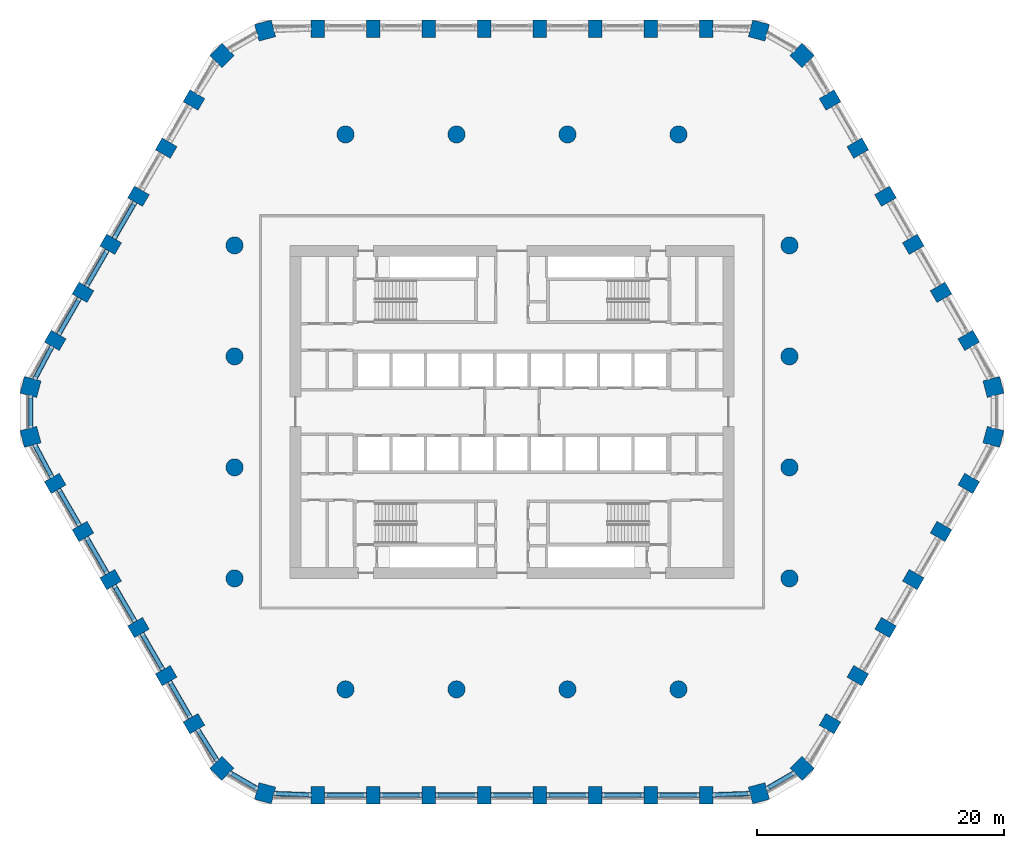
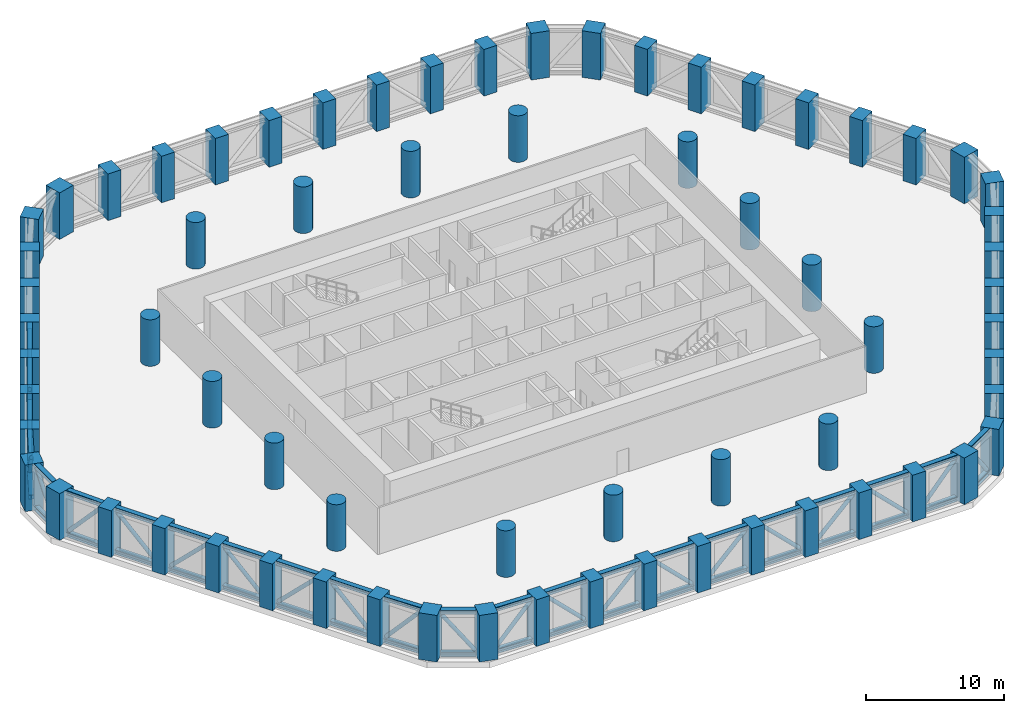
# One storey, part 1 of 18: 68 columns, 46 beams, 23 members.
"""IFC4 building model written with IfcOpenShell, lengths in metres."""

from ifc_helpers import new_model, si_unit, direction, frame, origin, origin_2d, place, context, subcontext, project, spatial, rectangle, circle, hollow_circle, i_section, extrude, material, material_profile, profile_set, type_object, element, save


model = new_model("IFC4")

# Units and contexts
model_context = context("Model", 3, precision=1e-05, world=origin(), true_north=direction((0.0, 1.0)))
body_context = subcontext(model_context, "Body", "Model", "MODEL_VIEW")
ifc_project = project(units=[si_unit("LENGTHUNIT", "METRE"), si_unit("AREAUNIT", "SQUARE_METRE"), si_unit("VOLUMEUNIT", "CUBIC_METRE"), si_unit("PLANEANGLEUNIT", "RADIAN"), si_unit("MASSUNIT", "GRAM", prefix="KILO")], contexts=[model_context])

# Site, building, storey
site_placement = place(None, origin())
site = spatial("IfcSite", under=ifc_project, at=site_placement, CompositionType="ELEMENT")
building_placement = place(site_placement, origin())
building = spatial("IfcBuilding", under=site, at=building_placement, Name="Dhurran Vertical Campus", CompositionType="ELEMENT")
storey_placement = place(building_placement, frame((0.0, 0.0, 76.800048828125)))
storey = spatial("IfcBuildingStorey", under=building, at=storey_placement, Name="L18 Plant", CompositionType="ELEMENT", Elevation=76.800048828125)

# Columns
ifc_material_1 = material(Name="Concrete C70/85", Category="concrete")
ifc_material_profile_1 = material_profile(ifc_material_1, rectangle(XDim=1.10009765625, YDim=1.39990234375, at=origin_2d()), Name="RC 1100x1400")
ifc_profile_set_1 = profile_set([ifc_material_profile_1], Name="Concrete C70/85")
column_type_1 = type_object("IfcColumnType", Name="FR COL RC 1100x1400 C70/85", PredefinedType="COLUMN", material=ifc_profile_set_1)
for number, where, z_axis, x_axis, name in (
    (1, (-15.75, -31.079833984375, 0.0), (0.0, 0.0, 1.0), (1.0, 0.0, 0.0), "Perimeter pier PP1.01"),
    (2, (-11.25, -31.079833984375, 0.0), (0.0, 0.0, 1.0), (1.0, 0.0, 0.0), "Perimeter pier PP1.02"),
    (3, (-6.75, -31.079833984375, 0.0), (0.0, 0.0, 1.0), (1.0, 0.0, 0.0), "Perimeter pier PP1.03"),
    (4, (-2.25, -31.079833984375, 0.0), (0.0, 0.0, 1.0), (1.0, 0.0, 0.0), "Perimeter pier PP1.04"),
    (5, (2.25, -31.079833984375, 0.0), (0.0, 0.0, 1.0), (1.0, 0.0, 0.0), "Perimeter pier PP1.05"),
    (6, (6.75, -31.079833984375, 0.0), (0.0, 0.0, 1.0), (1.0, 0.0, 0.0), "Perimeter pier PP1.06"),
    (7, (11.25, -31.079833984375, 0.0), (0.0, 0.0, 1.0), (1.0, 0.0, 0.0), "Perimeter pier PP1.07"),
    (8, (15.75, -31.079833984375, 0.0), (0.0, 0.0, 1.0), (1.0, 0.0, 0.0), "Perimeter pier PP1.08"),
    (9, (25.791015625, -25.28271484375, 0.0), (0.0, 0.0, 1.0), (0.5, 0.866025403784, 0.0), "Perimeter pier PP1.11"),
    (10, (28.041015625, -21.385498046875, 0.0), (0.0, 0.0, 1.0), (0.5, 0.866025403784, 0.0), "Perimeter pier PP1.12"),
    (11, (30.291015625, -17.488525390625, 0.0), (0.0, 0.0, 1.0), (0.5, 0.866025403784, 0.0), "Perimeter pier PP1.13"),
    (12, (32.541015625, -13.59130859375, 0.0), (0.0, 0.0, 1.0), (0.5, 0.866025403784, 0.0), "Perimeter pier PP1.14"),
    (13, (34.791015625, -9.694091796875, 0.0), (0.0, 0.0, 1.0), (0.5, 0.866025403784, 0.0), "Perimeter pier PP1.15"),
    (14, (37.041015625, -5.797119140625, 0.0), (0.0, 0.0, 1.0), (0.5, 0.866025403784, 0.0), "Perimeter pier PP1.16"),
    (15, (37.041015625, 5.797119140625, 0.0), (0.0, 0.0, 1.0), (-0.5, 0.866025403784, 0.0), "Perimeter pier PP1.19"),
    (16, (34.791015625, 9.694091796875, 0.0), (0.0, 0.0, 1.0), (-0.5, 0.866025403784, 0.0), "Perimeter pier PP1.20"),
    (17, (32.541015625, 13.59130859375, 0.0), (0.0, 0.0, 1.0), (-0.5, 0.866025403784, 0.0), "Perimeter pier PP1.21"),
    (18, (30.291015625, 17.488525390625, 0.0), (0.0, 0.0, 1.0), (-0.5, 0.866025403784, 0.0), "Perimeter pier PP1.22"),
    (19, (28.041015625, 21.385498046875, 0.0), (0.0, 0.0, 1.0), (-0.5, 0.866025403784, 0.0), "Perimeter pier PP1.23"),
    (20, (25.791015625, 25.28271484375, 0.0), (0.0, 0.0, 1.0), (-0.5, 0.866025403784, 0.0), "Perimeter pier PP1.24"),
    (21, (15.75, 31.079833984375, 0.0), (0.0, 0.0, 1.0), (-1.0, 0.0, 0.0), "Perimeter pier PP1.27"),
    (22, (11.25, 31.079833984375, 0.0), (0.0, 0.0, 1.0), (-1.0, 0.0, 0.0), "Perimeter pier PP1.28"),
    (23, (6.75, 31.079833984375, 0.0), (0.0, 0.0, 1.0), (-1.0, 0.0, 0.0), "Perimeter pier PP1.29"),
    (24, (2.25, 31.079833984375, 0.0), (0.0, 0.0, 1.0), (-1.0, 0.0, 0.0), "Perimeter pier PP1.30"),
    (25, (-2.25, 31.079833984375, 0.0), (0.0, 0.0, 1.0), (-1.0, 0.0, 0.0), "Perimeter pier PP1.31"),
    (26, (-6.75, 31.079833984375, 0.0), (0.0, 0.0, 1.0), (-1.0, 0.0, 0.0), "Perimeter pier PP1.32"),
    (27, (-11.25, 31.079833984375, 0.0), (0.0, 0.0, 1.0), (-1.0, 0.0, 0.0), "Perimeter pier PP1.33"),
    (28, (-15.75, 31.079833984375, 0.0), (0.0, 0.0, 1.0), (-1.0, 0.0, 0.0), "Perimeter pier PP1.34"),
    (29, (-25.791015625, 25.28271484375, 0.0), (0.0, 0.0, 1.0), (-0.5, -0.866025403784, 0.0), "Perimeter pier PP1.37"),
    (30, (-28.041015625, 21.385498046875, 0.0), (0.0, 0.0, 1.0), (-0.5, -0.866025403784, 0.0), "Perimeter pier PP1.38"),
    (31, (-30.291015625, 17.488525390625, 0.0), (0.0, 0.0, 1.0), (-0.5, -0.866025403784, 0.0), "Perimeter pier PP1.39"),
    (32, (-32.541015625, 13.59130859375, 0.0), (0.0, 0.0, 1.0), (-0.5, -0.866025403784, 0.0), "Perimeter pier PP1.40"),
    (33, (-34.791015625, 9.694091796875, 0.0), (0.0, 0.0, 1.0), (-0.5, -0.866025403784, 0.0), "Perimeter pier PP1.41"),
    (34, (-37.041015625, 5.797119140625, 0.0), (0.0, 0.0, 1.0), (-0.5, -0.866025403784, 0.0), "Perimeter pier PP1.42"),
    (35, (-37.041015625, -5.797119140625, 0.0), (0.0, 0.0, 1.0), (0.5, -0.866025403784, 0.0), "Perimeter pier PP1.45"),
    (36, (-34.791015625, -9.694091796875, 0.0), (0.0, 0.0, 1.0), (0.5, -0.866025403784, 0.0), "Perimeter pier PP1.46"),
    (37, (-32.541015625, -13.59130859375, 0.0), (0.0, 0.0, 1.0), (0.5, -0.866025403784, 0.0), "Perimeter pier PP1.47"),
    (38, (-30.291015625, -17.488525390625, 0.0), (0.0, 0.0, 1.0), (0.5, -0.866025403784, 0.0), "Perimeter pier PP1.48"),
    (39, (-28.041015625, -21.385498046875, 0.0), (0.0, 0.0, 1.0), (0.5, -0.866025403784, 0.0), "Perimeter pier PP1.49"),
    (40, (-25.791015625, -25.28271484375, 0.0), (0.0, 0.0, 1.0), (0.5, -0.866025403784, 0.0), "Perimeter pier PP1.50"),
):
    element("IfcColumn", number, at=place(storey_placement, frame(where, z_axis=z_axis, x_axis=x_axis)), inside=storey, type_object=column_type_1, Name=name, PredefinedType="COLUMN", context=body_context, shape_type="SweptSolid", body=[
        extrude(rectangle(XDim=1.10009765625, YDim=1.39990234375, at=origin_2d()), origin(), (0.0, 0.0, 1.0), 4.125),
    ])
ifc_material_2 = material(Name="Concrete C70/85", Category="concrete")
ifc_material_profile_2 = material_profile(ifc_material_2, rectangle(XDim=1.39990234375, YDim=1.39990234375, at=origin_2d()), Name="RC 1400x1400")
ifc_profile_set_2 = profile_set([ifc_material_profile_2], Name="Concrete C70/85")
column_type_2 = type_object("IfcColumnType", Name="FR COL RC 1400x1400 C70/85", PredefinedType="COLUMN", material=ifc_profile_set_2)
for number, where, z_axis, x_axis, name in (
    (41, (-20.020263671875, -30.922607421875, 0.0), (0.0, 0.0, 1.0), (0.965925826289, -0.258819045103, 0.0), "Perimeter pier PP1.00"),
    (42, (20.020263671875, -30.922607421875, 0.0), (0.0, 0.0, 1.0), (0.965925826289, 0.258819045103, 0.0), "Perimeter pier PP1.09"),
    (43, (23.51953125, -28.902099609375, 0.0), (0.0, 0.0, 1.0), (0.707106781187, 0.707106781187, 0.0), "Perimeter pier PP1.10"),
    (44, (39.039794921875, -2.020263671875, 0.0), (0.0, 0.0, 1.0), (0.258819045103, 0.965925826289, 0.0), "Perimeter pier PP1.17"),
    (45, (39.039794921875, 2.020263671875, 0.0), (0.0, 0.0, 1.0), (-0.258819045103, 0.965925826289, 0.0), "Perimeter pier PP1.18"),
    (46, (23.51953125, 28.902099609375, 0.0), (0.0, 0.0, 1.0), (-0.707106781187, 0.707106781187, 0.0), "Perimeter pier PP1.25"),
    (47, (20.020263671875, 30.922607421875, 0.0), (0.0, 0.0, 1.0), (-0.965925826289, 0.258819045103, 0.0), "Perimeter pier PP1.26"),
    (48, (-20.020263671875, 30.922607421875, 0.0), (0.0, 0.0, 1.0), (-0.965925826289, -0.258819045103, 0.0), "Perimeter pier PP1.35"),
    (49, (-23.51953125, 28.902099609375, 0.0), (0.0, 0.0, 1.0), (-0.707106781187, -0.707106781187, 0.0), "Perimeter pier PP1.36"),
    (50, (-39.039794921875, 2.020263671875, 0.0), (0.0, 0.0, 1.0), (-0.258819045103, -0.965925826289, 0.0), "Perimeter pier PP1.43"),
    (51, (-39.039794921875, -2.020263671875, 0.0), (0.0, 0.0, 1.0), (0.258819045103, -0.965925826289, 0.0), "Perimeter pier PP1.44"),
    (52, (-23.51953125, -28.902099609375, 0.0), (0.0, 0.0, 1.0), (0.707106781187, -0.707106781187, 0.0), "Perimeter pier PP1.51"),
):
    element("IfcColumn", number, at=place(storey_placement, frame(where, z_axis=z_axis, x_axis=x_axis)), inside=storey, type_object=column_type_2, Name=name, PredefinedType="COLUMN", context=body_context, shape_type="SweptSolid", body=[
        extrude(rectangle(XDim=1.39990234375, YDim=1.39990234375, at=origin_2d()), origin(), (0.0, 0.0, 1.0), 4.125),
    ])
ifc_material_3 = material(Name="Concrete C70/85", Category="concrete")
ifc_material_profile_3 = material_profile(ifc_material_3, circle(Radius=0.699951171875, at=origin_2d()), Name="RCC D1400")
ifc_profile_set_3 = profile_set([ifc_material_profile_3], Name="Concrete C70/85")
column_type_3 = type_object("IfcColumnType", Name="FR COL RCC D1400 C70/85", PredefinedType="COLUMN", material=ifc_profile_set_3)
for number, where, z_axis, x_axis, name in (
    (53, (-22.5, -13.5, 0.0), (0.0, 0.0, 1.0), (1.0, 0.0, 0.0), "Inner column IC1-D4"),
    (54, (-22.5, -4.5, 0.0), (0.0, 0.0, 1.0), (1.0, 0.0, 0.0), "Inner column IC1-D5"),
    (55, (-22.5, 4.5, 0.0), (0.0, 0.0, 1.0), (1.0, 0.0, 0.0), "Inner column IC1-D6"),
    (56, (-22.5, 13.5, 0.0), (0.0, 0.0, 1.0), (1.0, 0.0, 0.0), "Inner column IC1-D7"),
    (57, (-13.5, -22.5, 0.0), (0.0, 0.0, 1.0), (1.0, 0.0, 0.0), "Inner column IC1-E3"),
    (58, (-13.5, 22.5, 0.0), (0.0, 0.0, 1.0), (1.0, 0.0, 0.0), "Inner column IC1-E8"),
    (59, (-4.5, -22.5, 0.0), (0.0, 0.0, 1.0), (1.0, 0.0, 0.0), "Inner column IC1-F3"),
    (60, (-4.5, 22.5, 0.0), (0.0, 0.0, 1.0), (1.0, 0.0, 0.0), "Inner column IC1-F8"),
    (61, (4.5, -22.5, 0.0), (0.0, 0.0, 1.0), (1.0, 0.0, 0.0), "Inner column IC1-G3"),
    (62, (4.5, 22.5, 0.0), (0.0, 0.0, 1.0), (1.0, 0.0, 0.0), "Inner column IC1-G8"),
    (63, (13.5, -22.5, 0.0), (0.0, 0.0, 1.0), (1.0, 0.0, 0.0), "Inner column IC1-H3"),
    (64, (13.5, 22.5, 0.0), (0.0, 0.0, 1.0), (1.0, 0.0, 0.0), "Inner column IC1-H8"),
    (65, (22.5, -13.5, 0.0), (0.0, 0.0, 1.0), (1.0, 0.0, 0.0), "Inner column IC1-J4"),
    (66, (22.5, -4.5, 0.0), (0.0, 0.0, 1.0), (1.0, 0.0, 0.0), "Inner column IC1-J5"),
    (67, (22.5, 4.5, 0.0), (0.0, 0.0, 1.0), (1.0, 0.0, 0.0), "Inner column IC1-J6"),
    (68, (22.5, 13.5, 0.0), (0.0, 0.0, 1.0), (1.0, 0.0, 0.0), "Inner column IC1-J7"),
):
    element("IfcColumn", number, at=place(storey_placement, frame(where, z_axis=z_axis, x_axis=x_axis)), inside=storey, type_object=column_type_3, Name=name, PredefinedType="COLUMN", context=body_context, shape_type="SweptSolid", body=[
        extrude(circle(Radius=0.699951171875, at=origin_2d()), origin(), (0.0, 0.0, 1.0), 4.125),
    ])

# Beams
ifc_material_4 = material(Name="Steel ASTM A992", Category="steel")
ifc_material_profile_4 = material_profile(ifc_material_4, i_section(OverallWidth=0.39794921875, OverallDepth=0.386962890625, WebThickness=0.02099609375, FlangeThickness=0.033203125, at=origin_2d()), Name="W360x262")
ifc_profile_set_4 = profile_set([ifc_material_profile_4], Name="Steel ASTM A992")
beam_type = type_object("IfcBeamType", Name="FR BELT CHORD W360x262", PredefinedType="BEAM", material=ifc_profile_set_4)
for number, where, z_axis, x_axis, name in (
    (69, (-19.302734375, -30.948974609375, 0.193359375), (0.999322381582, -0.036807304566, 0.0), (0.036807304566, 0.999322381582, 0.0), "Belt truss chord L18"),
    (70, (-19.302734375, -30.948974609375, 3.931396484375), (0.999322381582, -0.036807304566, 0.0), (0.036807304566, 0.999322381582, 0.0), "Belt truss chord L18"),
):
    element("IfcBeam", number, at=place(storey_placement, frame(where, z_axis=z_axis, x_axis=x_axis)), inside=storey, type_object=beam_type, Name=name, PredefinedType="BEAM", context=body_context, shape_type="SweptSolid", body=[
        extrude(i_section(OverallWidth=0.39794921875, OverallDepth=0.386962890625, WebThickness=0.02099609375, FlangeThickness=0.033203125, at=origin_2d()), origin(), (0.0, 0.0, 1.0), 3.004638671875),
    ])
for number, where, z_axis, x_axis, name in (
    (71, (-15.199951171875, -31.079833984375, 0.193359375), (1.0, 0.0, 0.0), (0.0, 1.0, 0.0), "Belt truss chord L18"),
    (72, (-15.199951171875, -31.079833984375, 3.931396484375), (1.0, 0.0, 0.0), (0.0, 1.0, 0.0), "Belt truss chord L18"),
    (73, (-10.699951171875, -31.079833984375, 0.193359375), (1.0, 0.0, 0.0), (0.0, 1.0, 0.0), "Belt truss chord L18"),
    (74, (-10.699951171875, -31.079833984375, 3.931396484375), (1.0, 0.0, 0.0), (0.0, 1.0, 0.0), "Belt truss chord L18"),
    (75, (-6.199951171875, -31.079833984375, 0.193359375), (1.0, 0.0, 0.0), (0.0, 1.0, 0.0), "Belt truss chord L18"),
    (76, (-6.199951171875, -31.079833984375, 3.931396484375), (1.0, 0.0, 0.0), (0.0, 1.0, 0.0), "Belt truss chord L18"),
    (77, (-1.699951171875, -31.079833984375, 0.193359375), (1.0, 0.0, 0.0), (0.0, 1.0, 0.0), "Belt truss chord L18"),
    (78, (-1.699951171875, -31.079833984375, 3.931396484375), (1.0, 0.0, 0.0), (0.0, 1.0, 0.0), "Belt truss chord L18"),
    (79, (2.800048828125, -31.079833984375, 0.193359375), (1.0, 0.0, 0.0), (0.0, 1.0, 0.0), "Belt truss chord L18"),
    (80, (2.800048828125, -31.079833984375, 3.931396484375), (1.0, 0.0, 0.0), (0.0, 1.0, 0.0), "Belt truss chord L18"),
    (81, (7.300048828125, -31.079833984375, 0.193359375), (1.0, 0.0, 0.0), (0.0, 1.0, 0.0), "Belt truss chord L18"),
    (82, (7.300048828125, -31.079833984375, 3.931396484375), (1.0, 0.0, 0.0), (0.0, 1.0, 0.0), "Belt truss chord L18"),
    (83, (11.800048828125, -31.079833984375, 0.193359375), (1.0, 0.0, 0.0), (0.0, 1.0, 0.0), "Belt truss chord L18"),
    (84, (11.800048828125, -31.079833984375, 3.931396484375), (1.0, 0.0, 0.0), (0.0, 1.0, 0.0), "Belt truss chord L18"),
):
    element("IfcBeam", number, at=place(storey_placement, frame(where, z_axis=z_axis, x_axis=x_axis)), inside=storey, type_object=beam_type, Name=name, PredefinedType="BEAM", context=body_context, shape_type="SweptSolid", body=[
        extrude(i_section(OverallWidth=0.39794921875, OverallDepth=0.386962890625, WebThickness=0.02099609375, FlangeThickness=0.033203125, at=origin_2d()), origin(), (0.0, 0.0, 1.0), 3.39990234375),
    ])
for number, where, z_axis, x_axis, name in (
    (85, (16.300048828125, -31.0595703125, 0.193359375), (0.999322381582, 0.036807304566, 0.0), (-0.036807304566, 0.999322381582, 0.0), "Belt truss chord L18"),
    (86, (16.300048828125, -31.0595703125, 3.931396484375), (0.999322381582, 0.036807304566, 0.0), (-0.036807304566, 0.999322381582, 0.0), "Belt truss chord L18"),
):
    element("IfcBeam", number, at=place(storey_placement, frame(where, z_axis=z_axis, x_axis=x_axis)), inside=storey, type_object=beam_type, Name=name, PredefinedType="BEAM", context=body_context, shape_type="SweptSolid", body=[
        extrude(i_section(OverallWidth=0.39794921875, OverallDepth=0.386962890625, WebThickness=0.02099609375, FlangeThickness=0.033203125, at=origin_2d()), origin(), (0.0, 0.0, 1.0), 3.004638671875),
    ])
for number, where, z_axis, x_axis, name in (
    (87, (20.64794921875, -30.56005859375, 0.193359375), (0.866042797968, 0.49996987118, 0.0), (-0.49996987118, 0.866042797968, 0.0), "Belt truss chord L18"),
    (88, (20.64794921875, -30.56005859375, 3.931396484375), (0.866042797968, 0.49996987118, 0.0), (-0.49996987118, 0.866042797968, 0.0), "Belt truss chord L18"),
):
    element("IfcBeam", number, at=place(storey_placement, frame(where, z_axis=z_axis, x_axis=x_axis)), inside=storey, type_object=beam_type, Name=name, PredefinedType="BEAM", context=body_context, shape_type="SweptSolid", body=[
        extrude(i_section(OverallWidth=0.39794921875, OverallDepth=0.386962890625, WebThickness=0.02099609375, FlangeThickness=0.033203125, at=origin_2d()), origin(), (0.0, 0.0, 1.0), 2.591064453125),
    ])
for number, where, z_axis, x_axis, name in (
    (89, (-30.56591796875, 17.01220703125, 0.193359375), (-0.499977295307, -0.866038511948, 0.0), (0.866038511948, -0.499977295307, 0.0), "Belt truss chord L18"),
    (90, (-30.56591796875, 17.01220703125, 3.931396484375), (-0.499977295307, -0.866038511948, 0.0), (0.866038511948, -0.499977295307, 0.0), "Belt truss chord L18"),
    (91, (-32.81591796875, 13.114990234375, 0.193359375), (-0.499977295307, -0.866038511948, 0.0), (0.866038511948, -0.499977295307, 0.0), "Belt truss chord L18"),
    (92, (-32.81591796875, 13.114990234375, 3.931396484375), (-0.499977295307, -0.866038511948, 0.0), (0.866038511948, -0.499977295307, 0.0), "Belt truss chord L18"),
    (93, (-35.06591796875, 9.218017578125, 0.193359375), (-0.499977295307, -0.866038511948, 0.0), (0.866038511948, -0.499977295307, 0.0), "Belt truss chord L18"),
    (94, (-35.06591796875, 9.218017578125, 3.931396484375), (-0.499977295307, -0.866038511948, 0.0), (0.866038511948, -0.499977295307, 0.0), "Belt truss chord L18"),
):
    element("IfcBeam", number, at=place(storey_placement, frame(where, z_axis=z_axis, x_axis=x_axis)), inside=storey, type_object=beam_type, Name=name, PredefinedType="BEAM", context=body_context, shape_type="SweptSolid", body=[
        extrude(i_section(OverallWidth=0.39794921875, OverallDepth=0.386962890625, WebThickness=0.02099609375, FlangeThickness=0.033203125, at=origin_2d()), origin(), (0.0, 0.0, 1.0), 3.400146484375),
    ])
for number, where, z_axis, x_axis, name in (
    (95, (-37.29833984375, 5.310791015625, 0.193359375), (-0.467764521127, -0.883853128509, 0.0), (0.883853128509, -0.467764521127, 0.0), "Belt truss chord L18"),
    (96, (-37.29833984375, 5.310791015625, 3.931396484375), (-0.467764521127, -0.883853128509, 0.0), (0.883853128509, -0.467764521127, 0.0), "Belt truss chord L18"),
):
    element("IfcBeam", number, at=place(storey_placement, frame(where, z_axis=z_axis, x_axis=x_axis)), inside=storey, type_object=beam_type, Name=name, PredefinedType="BEAM", context=body_context, shape_type="SweptSolid", body=[
        extrude(i_section(OverallWidth=0.39794921875, OverallDepth=0.386962890625, WebThickness=0.02099609375, FlangeThickness=0.033203125, at=origin_2d()), origin(), (0.0, 0.0, 1.0), 3.004638671875),
    ])
for number, where, z_axis, x_axis, name in (
    (97, (-39.039794921875, 1.295654296875, 0.193359375), (0.0, -1.0, 0.0), (1.0, 0.0, 0.0), "Belt truss chord L18"),
    (98, (-39.039794921875, 1.295654296875, 3.931396484375), (0.0, -1.0, 0.0), (1.0, 0.0, 0.0), "Belt truss chord L18"),
):
    element("IfcBeam", number, at=place(storey_placement, frame(where, z_axis=z_axis, x_axis=x_axis)), inside=storey, type_object=beam_type, Name=name, PredefinedType="BEAM", context=body_context, shape_type="SweptSolid", body=[
        extrude(i_section(OverallWidth=0.39794921875, OverallDepth=0.386962890625, WebThickness=0.02099609375, FlangeThickness=0.033203125, at=origin_2d()), origin(), (0.0, 0.0, 1.0), 2.59130859375),
    ])
for number, where, z_axis, x_axis, name in (
    (99, (-38.703857421875, -2.655029296875, 0.193359375), (0.467764521127, -0.883853128509, 0.0), (0.883853128509, 0.467764521127, 0.0), "Belt truss chord L18"),
    (100, (-38.703857421875, -2.655029296875, 3.931396484375), (0.467764521127, -0.883853128509, 0.0), (0.883853128509, 0.467764521127, 0.0), "Belt truss chord L18"),
):
    element("IfcBeam", number, at=place(storey_placement, frame(where, z_axis=z_axis, x_axis=x_axis)), inside=storey, type_object=beam_type, Name=name, PredefinedType="BEAM", context=body_context, shape_type="SweptSolid", body=[
        extrude(i_section(OverallWidth=0.39794921875, OverallDepth=0.386962890625, WebThickness=0.02099609375, FlangeThickness=0.033203125, at=origin_2d()), origin(), (0.0, 0.0, 1.0), 3.004638671875),
    ])
for number, where, z_axis, x_axis, name in (
    (101, (-36.765869140625, -6.2734375, 0.193359375), (0.499977295307, -0.866038511948, 0.0), (0.866038511948, 0.499977295307, 0.0), "Belt truss chord L18"),
    (102, (-36.765869140625, -6.2734375, 3.931396484375), (0.499977295307, -0.866038511948, 0.0), (0.866038511948, 0.499977295307, 0.0), "Belt truss chord L18"),
    (103, (-34.515869140625, -10.17041015625, 0.193359375), (0.499977295307, -0.866038511948, 0.0), (0.866038511948, 0.499977295307, 0.0), "Belt truss chord L18"),
    (104, (-34.515869140625, -10.17041015625, 3.931396484375), (0.499977295307, -0.866038511948, 0.0), (0.866038511948, 0.499977295307, 0.0), "Belt truss chord L18"),
    (105, (-32.265869140625, -14.067626953125, 0.193359375), (0.499977295307, -0.866038511948, 0.0), (0.866038511948, 0.499977295307, 0.0), "Belt truss chord L18"),
    (106, (-32.265869140625, -14.067626953125, 3.931396484375), (0.499977295307, -0.866038511948, 0.0), (0.866038511948, 0.499977295307, 0.0), "Belt truss chord L18"),
):
    element("IfcBeam", number, at=place(storey_placement, frame(where, z_axis=z_axis, x_axis=x_axis)), inside=storey, type_object=beam_type, Name=name, PredefinedType="BEAM", context=body_context, shape_type="SweptSolid", body=[
        extrude(i_section(OverallWidth=0.39794921875, OverallDepth=0.386962890625, WebThickness=0.02099609375, FlangeThickness=0.033203125, at=origin_2d()), origin(), (0.0, 0.0, 1.0), 3.400146484375),
    ])
for number, where, z_axis, x_axis, name in (
    (107, (-30.015869140625, -17.96484375, 0.193359375), (0.500008388397, -0.866020560687, 0.0), (0.866020560687, 0.500008388397, 0.0), "Belt truss chord L18"),
    (108, (-30.015869140625, -17.96484375, 3.931396484375), (0.500008388397, -0.866020560687, 0.0), (0.866020560687, 0.500008388397, 0.0), "Belt truss chord L18"),
):
    element("IfcBeam", number, at=place(storey_placement, frame(where, z_axis=z_axis, x_axis=x_axis)), inside=storey, type_object=beam_type, Name=name, PredefinedType="BEAM", context=body_context, shape_type="SweptSolid", body=[
        extrude(i_section(OverallWidth=0.39794921875, OverallDepth=0.386962890625, WebThickness=0.02099609375, FlangeThickness=0.033203125, at=origin_2d()), origin(), (0.0, 0.0, 1.0), 3.39990234375),
    ])
for number, where, z_axis, x_axis, name in (
    (109, (-27.765869140625, -21.86181640625, 0.193359375), (0.499977295307, -0.866038511948, 0.0), (0.866038511948, 0.499977295307, 0.0), "Belt truss chord L18"),
    (110, (-27.765869140625, -21.86181640625, 3.931396484375), (0.499977295307, -0.866038511948, 0.0), (0.866038511948, 0.499977295307, 0.0), "Belt truss chord L18"),
):
    element("IfcBeam", number, at=place(storey_placement, frame(where, z_axis=z_axis, x_axis=x_axis)), inside=storey, type_object=beam_type, Name=name, PredefinedType="BEAM", context=body_context, shape_type="SweptSolid", body=[
        extrude(i_section(OverallWidth=0.39794921875, OverallDepth=0.386962890625, WebThickness=0.02099609375, FlangeThickness=0.033203125, at=origin_2d()), origin(), (0.0, 0.0, 1.0), 3.400146484375),
    ])
for number, where, z_axis, x_axis, name in (
    (111, (-25.498291015625, -25.748779296875, 0.193359375), (0.531539080698, -0.84703376892, 0.0), (0.84703376892, 0.531539080698, 0.0), "Belt truss chord L18"),
    (112, (-25.498291015625, -25.748779296875, 3.931396484375), (0.531539080698, -0.84703376892, 0.0), (0.84703376892, 0.531539080698, 0.0), "Belt truss chord L18"),
):
    element("IfcBeam", number, at=place(storey_placement, frame(where, z_axis=z_axis, x_axis=x_axis)), inside=storey, type_object=beam_type, Name=name, PredefinedType="BEAM", context=body_context, shape_type="SweptSolid", body=[
        extrude(i_section(OverallWidth=0.39794921875, OverallDepth=0.386962890625, WebThickness=0.02099609375, FlangeThickness=0.033203125, at=origin_2d()), origin(), (0.0, 0.0, 1.0), 3.0048828125),
    ])
for number, where, z_axis, x_axis, name in (
    (113, (-22.891845703125, -29.2646484375, 0.193359375), (0.866042797968, -0.49996987118, 0.0), (0.49996987118, 0.866042797968, 0.0), "Belt truss chord L18"),
    (114, (-22.891845703125, -29.2646484375, 3.931396484375), (0.866042797968, -0.49996987118, 0.0), (0.49996987118, 0.866042797968, 0.0), "Belt truss chord L18"),
):
    element("IfcBeam", number, at=place(storey_placement, frame(where, z_axis=z_axis, x_axis=x_axis)), inside=storey, type_object=beam_type, Name=name, PredefinedType="BEAM", context=body_context, shape_type="SweptSolid", body=[
        extrude(i_section(OverallWidth=0.39794921875, OverallDepth=0.386962890625, WebThickness=0.02099609375, FlangeThickness=0.033203125, at=origin_2d()), origin(), (0.0, 0.0, 1.0), 2.591064453125),
    ])

# Members
ifc_material_5 = material(Name="Steel S355J2H", Category="steel")
ifc_material_profile_5 = material_profile(ifc_material_5, hollow_circle(Radius=0.161865234375, WallThickness=0.012451171875, at=origin_2d()), Name="CHS323.9x12.5")
ifc_profile_set_5 = profile_set([ifc_material_profile_5], Name="Steel S355J2H")
member_type = type_object("IfcMemberType", Name="FR BELT DIAGONAL CHS323.9x12.5", PredefinedType="BRACE", material=ifc_profile_set_5)
member_1_placement = place(storey_placement, frame((-19.205810546875, -30.952392578125, 0.4951171875), z_axis=(0.667127044446, -0.024585994511, 0.744538135653), x_axis=(0.036828540466, 0.99932159919, 0.0)))
element("IfcMember", 115, at=member_1_placement, inside=storey, type_object=member_type, Name="Belt truss diagonal L18", PredefinedType="BRACE", context=body_context, shape_type="SweptSolid", body=[
    extrude(hollow_circle(Radius=0.161865234375, WallThickness=0.012451171875, at=origin_2d()), origin(), (0.0, 0.0, 1.0), 4.21044921875),
])
for number, where, z_axis, x_axis, name in (
    (116, (-11.9169921875, -31.079833984375, 0.502197265625), (-0.712223304125, 0.0, 0.701952964992), (0.0, -1.0, 0.0), "Belt truss diagonal L18"),
    (117, (-10.5830078125, -31.079833984375, 0.502197265625), (0.712223304125, 0.0, 0.701952964992), (0.0, 1.0, 0.0), "Belt truss diagonal L18"),
    (118, (-2.9169921875, -31.079833984375, 0.502197265625), (-0.712223304125, 0.0, 0.701952964992), (0.0, -1.0, 0.0), "Belt truss diagonal L18"),
    (119, (-1.5830078125, -31.079833984375, 0.502197265625), (0.712223304125, 0.0, 0.701952964992), (0.0, 1.0, 0.0), "Belt truss diagonal L18"),
    (120, (6.0830078125, -31.079833984375, 0.502197265625), (-0.712223304125, 0.0, 0.701952964992), (0.0, -1.0, 0.0), "Belt truss diagonal L18"),
    (121, (7.4169921875, -31.079833984375, 0.502197265625), (0.712223304125, 0.0, 0.701952964992), (0.0, 1.0, 0.0), "Belt truss diagonal L18"),
    (122, (15.0830078125, -31.079833984375, 0.502197265625), (-0.712223304125, 0.0, 0.701952964992), (0.0, -1.0, 0.0), "Belt truss diagonal L18"),
):
    element("IfcMember", number, at=place(storey_placement, frame(where, z_axis=z_axis, x_axis=x_axis)), inside=storey, type_object=member_type, Name=name, PredefinedType="BRACE", context=body_context, shape_type="SweptSolid", body=[
        extrude(hollow_circle(Radius=0.161865234375, WallThickness=0.012451171875, at=origin_2d()), origin(), (0.0, 0.0, 1.0), 4.4453125),
    ])
member_2_placement = place(storey_placement, frame((16.39697265625, -31.055908203125, 0.4951171875), z_axis=(0.667127044446, 0.024585994511, 0.744538135653), x_axis=(-0.036828540466, 0.99932159919, 0.0)))
element("IfcMember", 123, at=member_2_placement, inside=storey, type_object=member_type, Name="Belt truss diagonal L18", PredefinedType="BRACE", context=body_context, shape_type="SweptSolid", body=[
    extrude(hollow_circle(Radius=0.161865234375, WallThickness=0.012451171875, at=origin_2d()), origin(), (0.0, 0.0, 1.0), 4.21044921875),
])
member_3_placement = place(storey_placement, frame((22.82568359375, -29.302978515625, 0.486083984375), z_axis=(-0.529809829071, -0.305793810466, 0.791069965617), x_axis=(0.499887154776, -0.866090545203, 0.0)))
element("IfcMember", 124, at=member_3_placement, inside=storey, type_object=member_type, Name="Belt truss diagonal L18", PredefinedType="BRACE", context=body_context, shape_type="SweptSolid", body=[
    extrude(hollow_circle(Radius=0.161865234375, WallThickness=0.012451171875, at=origin_2d()), origin(), (0.0, 0.0, 1.0), 3.985595703125),
])
member_4_placement = place(storey_placement, frame((-32.20751953125, 14.1689453125, 0.502197265625), z_axis=(0.356107036986, 0.616816491732, 0.701943867939), x_axis=(-0.866032778651, 0.499987226139, 0.0)))
element("IfcMember", 125, at=member_4_placement, inside=storey, type_object=member_type, Name="Belt truss diagonal L18", PredefinedType="BRACE", context=body_context, shape_type="SweptSolid", body=[
    extrude(hollow_circle(Radius=0.161865234375, WallThickness=0.012451171875, at=origin_2d()), origin(), (0.0, 0.0, 1.0), 4.4453125),
])
for number, where, z_axis, x_axis, name in (
    (126, (-32.87451171875, 13.013671875, 0.502197265625), (-0.356119100583, -0.616782464458, 0.701967647216), (0.866013499974, -0.500020617438, 0.0), "Belt truss diagonal L18"),
    (127, (-36.70751953125, 6.374755859375, 0.502197265625), (0.356119100583, 0.616782464458, 0.701967647216), (-0.866013499974, 0.500020617438, 0.0), "Belt truss diagonal L18"),
):
    element("IfcMember", number, at=place(storey_placement, frame(where, z_axis=z_axis, x_axis=x_axis)), inside=storey, type_object=member_type, Name=name, PredefinedType="BRACE", context=body_context, shape_type="SweptSolid", body=[
        extrude(hollow_circle(Radius=0.161865234375, WallThickness=0.012451171875, at=origin_2d()), origin(), (0.0, 0.0, 1.0), 4.445068359375),
    ])
member_5_placement = place(storey_placement, frame((-37.34375, 5.22509765625, 0.4951171875), z_axis=(-0.31225141768, -0.590059503492, 0.744532628228), x_axis=(0.883870300674, -0.467732072438, 0.0)))
element("IfcMember", 128, at=member_5_placement, inside=storey, type_object=member_type, Name="Belt truss diagonal L18", PredefinedType="BRACE", context=body_context, shape_type="SweptSolid", body=[
    extrude(hollow_circle(Radius=0.161865234375, WallThickness=0.012451171875, at=origin_2d()), origin(), (0.0, 0.0, 1.0), 4.21044921875),
])
member_6_placement = place(storey_placement, frame((-39.039794921875, -1.218994140625, 0.486083984375), z_axis=(0.0, 0.611715952192, 0.791077489146), x_axis=(-1.0, 0.0, 0.0)))
element("IfcMember", 129, at=member_6_placement, inside=storey, type_object=member_type, Name="Belt truss diagonal L18", PredefinedType="BRACE", context=body_context, shape_type="SweptSolid", body=[
    extrude(hollow_circle(Radius=0.161865234375, WallThickness=0.012451171875, at=origin_2d()), origin(), (0.0, 0.0, 1.0), 3.985595703125),
])
member_7_placement = place(storey_placement, frame((-38.658447265625, -2.74072265625, 0.4951171875), z_axis=(0.31225141768, -0.590059503492, 0.744532628228), x_axis=(0.883870300674, 0.467732072438, 0.0)))
element("IfcMember", 130, at=member_7_placement, inside=storey, type_object=member_type, Name="Belt truss diagonal L18", PredefinedType="BRACE", context=body_context, shape_type="SweptSolid", body=[
    extrude(hollow_circle(Radius=0.161865234375, WallThickness=0.012451171875, at=origin_2d()), origin(), (0.0, 0.0, 1.0), 4.21044921875),
])
for number, where, z_axis, x_axis, name in (
    (131, (-35.12451171875, -9.116455078125, 0.502197265625), (-0.356119100583, 0.616782464458, 0.701967647216), (-0.866013499974, -0.500020617438, 0.0), "Belt truss diagonal L18"),
    (132, (-34.45751953125, -10.27197265625, 0.502197265625), (0.356119100583, -0.616782464458, 0.701967647216), (0.866013499974, 0.500020617438, 0.0), "Belt truss diagonal L18"),
):
    element("IfcMember", number, at=place(storey_placement, frame(where, z_axis=z_axis, x_axis=x_axis)), inside=storey, type_object=member_type, Name=name, PredefinedType="BRACE", context=body_context, shape_type="SweptSolid", body=[
        extrude(hollow_circle(Radius=0.161865234375, WallThickness=0.012451171875, at=origin_2d()), origin(), (0.0, 0.0, 1.0), 4.445068359375),
    ])
member_8_placement = place(storey_placement, frame((-30.62451171875, -16.910888671875, 0.502197265625), z_axis=(-0.356107036986, 0.616816491732, 0.701943867939), x_axis=(-0.866032778651, -0.499987226139, 0.0)))
element("IfcMember", 133, at=member_8_placement, inside=storey, type_object=member_type, Name="Belt truss diagonal L18", PredefinedType="BRACE", context=body_context, shape_type="SweptSolid", body=[
    extrude(hollow_circle(Radius=0.161865234375, WallThickness=0.012451171875, at=origin_2d()), origin(), (0.0, 0.0, 1.0), 4.4453125),
])
for number, where, z_axis, x_axis, name in (
    (134, (-29.95751953125, -18.066162109375, 0.502197265625), (0.356119100583, -0.616782464458, 0.701967647216), (0.866013499974, 0.500020617438, 0.0), "Belt truss diagonal L18"),
    (135, (-26.12451171875, -24.705078125, 0.502197265625), (-0.356119100583, 0.616782464458, 0.701967647216), (-0.866013499974, -0.500020617438, 0.0), "Belt truss diagonal L18"),
):
    element("IfcMember", number, at=place(storey_placement, frame(where, z_axis=z_axis, x_axis=x_axis)), inside=storey, type_object=member_type, Name=name, PredefinedType="BRACE", context=body_context, shape_type="SweptSolid", body=[
        extrude(hollow_circle(Radius=0.161865234375, WallThickness=0.012451171875, at=origin_2d()), origin(), (0.0, 0.0, 1.0), 4.445068359375),
    ])
member_9_placement = place(storey_placement, frame((-25.44677734375, -25.8310546875, 0.4951171875), z_axis=(0.354866693069, -0.56546731876, 0.7445242384), x_axis=(0.847020954867, 0.531559499978, 0.0)))
element("IfcMember", 136, at=member_9_placement, inside=storey, type_object=member_type, Name="Belt truss diagonal L18", PredefinedType="BRACE", context=body_context, shape_type="SweptSolid", body=[
    extrude(hollow_circle(Radius=0.161865234375, WallThickness=0.012451171875, at=origin_2d()), origin(), (0.0, 0.0, 1.0), 4.21044921875),
])
member_10_placement = place(storey_placement, frame((-20.714111328125, -30.521728515625, 0.486083984375), z_axis=(-0.529809829071, 0.305793810466, 0.791069965617), x_axis=(-0.499887154776, -0.866090545203, 0.0)))
element("IfcMember", 137, at=member_10_placement, inside=storey, type_object=member_type, Name="Belt truss diagonal L18", PredefinedType="BRACE", context=body_context, shape_type="SweptSolid", body=[
    extrude(hollow_circle(Radius=0.161865234375, WallThickness=0.012451171875, at=origin_2d()), origin(), (0.0, 0.0, 1.0), 3.985595703125),
])

save(model, "model.ifc")
